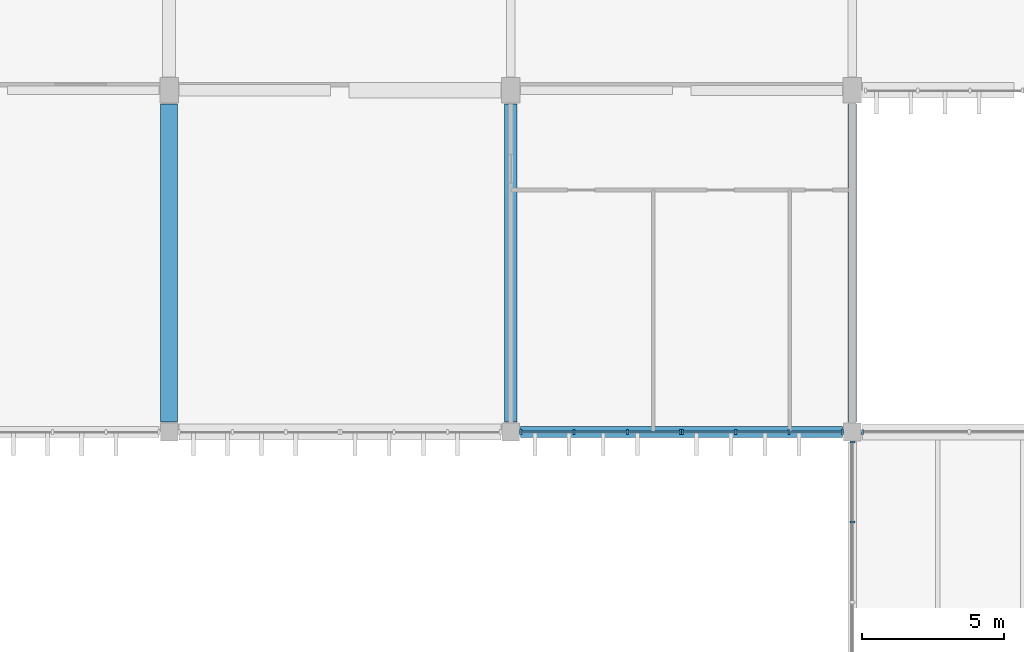
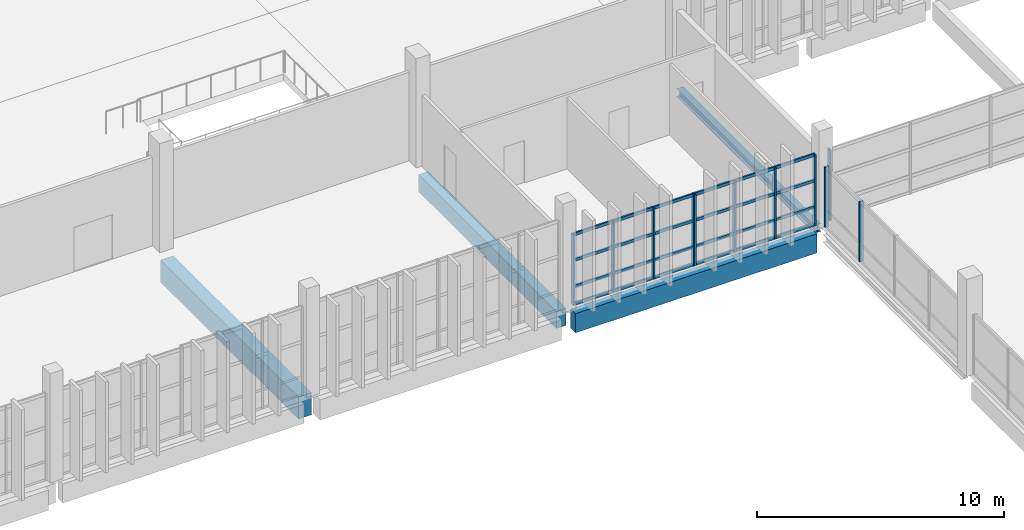
# One storey, part 43 of 112: 19 members, 4 beams, 4 elements without a shape of their own.
"""IFC4 building model written with IfcOpenShell, lengths in metres."""

from ifc_helpers import new_model, si_unit, direction, frame, origin, origin_2d, place, context, subcontext, project, spatial, rectangle, i_section, extrude, material, material_profile, profile_set, type_object, element, aggregate, save


model = new_model("IFC4")

# Units and contexts
model_context = context("Model", 3, precision=1e-05, world=origin(), true_north=direction((0.0, 1.0)))
body_context = subcontext(model_context, "Body", "Model", "MODEL_VIEW")
ifc_project = project(units=[si_unit("LENGTHUNIT", "METRE"), si_unit("AREAUNIT", "SQUARE_METRE"), si_unit("VOLUMEUNIT", "CUBIC_METRE"), si_unit("PLANEANGLEUNIT", "RADIAN"), si_unit("MASSUNIT", "GRAM", prefix="KILO")], contexts=[model_context])

# Site, building, storey
site_placement = place(None, origin())
site = spatial("IfcSite", under=ifc_project, at=site_placement, CompositionType="ELEMENT")
building_placement = place(site_placement, origin())
building = spatial("IfcBuilding", under=site, at=building_placement, Name="Kamomehara Wholesale Market", CompositionType="ELEMENT")
storey_placement = place(building_placement, frame((0.0, 0.0, 6.60009765625)))
storey = spatial("IfcBuildingStorey", under=building, at=storey_placement, Name="L01", CompositionType="ELEMENT", Elevation=6.60009765625)

# Beams
ifc_material_1 = material(Name="Precast concrete Fc45 (C40/50)", Category="concrete")
ifc_material_profile_1 = material_profile(ifc_material_1, rectangle(XDim=0.60009765625, YDim=1.10009765625, at=origin_2d()), Name="PC-GRD-600x1100")
ifc_profile_set_1 = profile_set([ifc_material_profile_1], Name="Precast concrete Fc45 (C40/50)")
beam_type_1 = type_object("IfcBeamType", Name="BM-PG1100", PredefinedType="T_BEAM", material=ifc_profile_set_1)
beam_1_placement = place(storey_placement, frame((132.0, 96.35009765625, -0.89208984375), z_axis=(0.0, 1.0, 0.0), x_axis=(-1.0, 0.0, 0.0)))
element("IfcBeam", 1, at=beam_1_placement, inside=storey, type_object=beam_type_1, Name="Beam PG-07 L01", PredefinedType="T_BEAM", context=body_context, shape_type="SweptSolid", body=[
    extrude(rectangle(XDim=0.60009765625, YDim=1.10009765625, at=origin_2d()), origin(), (0.0, 0.0, 1.0), 11.1748046875),
])
ifc_material_2 = material(Name="Precast concrete Fc45 (C40/50)", Category="concrete")
ifc_material_profile_2 = material_profile(ifc_material_2, rectangle(XDim=0.449951171875, YDim=0.85009765625, at=origin_2d()), Name="PC-GRD-450x850")
ifc_profile_set_2 = profile_set([ifc_material_profile_2], Name="Precast concrete Fc45 (C40/50)")
beam_type_2 = type_object("IfcBeamType", Name="BM-PG850", PredefinedType="T_BEAM", material=ifc_profile_set_2)
beam_2_placement = place(storey_placement, frame((144.0, 96.35009765625, -0.76708984375), z_axis=(0.0, 1.0, 0.0), x_axis=(-1.0, 0.0, 0.0)))
element("IfcBeam", 2, at=beam_2_placement, inside=storey, type_object=beam_type_2, Name="Beam PG-11 L01", PredefinedType="T_BEAM", context=body_context, shape_type="SweptSolid", body=[
    extrude(rectangle(XDim=0.449951171875, YDim=0.85009765625, at=origin_2d()), origin(), (0.0, 0.0, 1.0), 11.1748046875),
])
ifc_material_3 = material(Name="Precast concrete Fc45 (C40/50)", Category="concrete")
ifc_material_profile_3 = material_profile(ifc_material_3, rectangle(XDim=0.39990234375, YDim=0.949951171875, at=origin_2d()), Name="PC-SPN-400x950")
ifc_profile_set_3 = profile_set([ifc_material_profile_3], Name="Precast concrete Fc45 (C40/50)")
beam_type_3 = type_object("IfcBeamType", Name="BM-SPN950-EXT", PredefinedType="SPANDREL", material=ifc_profile_set_3)
beam_3_placement = place(storey_placement, frame((144.35009765625, 96.0, -0.797119140625), z_axis=(1.0, 0.0, 0.0), x_axis=(0.0, 1.0, 0.0)))
element("IfcBeam", 3, at=beam_3_placement, inside=storey, type_object=beam_type_3, Name="Beam SPN-01E L01", PredefinedType="SPANDREL", context=body_context, shape_type="SweptSolid", body=[
    extrude(rectangle(XDim=0.39990234375, YDim=0.949951171875, at=origin_2d()), origin(), (0.0, 0.0, 1.0), 11.2998046875),
])
ifc_material_4 = material(Name="Steel SN490B", Category="steel")
ifc_material_profile_4 = material_profile(ifc_material_4, i_section(OverallWidth=0.300048828125, OverallDepth=0.389892578125, WebThickness=0.010009765625, FlangeThickness=0.01611328125, FilletRadius=0.01806640625, at=origin_2d()), Name="H-390x300x10x16")
ifc_profile_set_4 = profile_set([ifc_material_profile_4], Name="Steel SN490B")
beam_type_4 = type_object("IfcBeamType", Name="BM-ST-H390-EXT", PredefinedType="SPANDREL", material=ifc_profile_set_4)
beam_4_placement = place(storey_placement, frame((156.0, 96.35009765625, -0.51708984375), z_axis=(0.0, 1.0, 0.0), x_axis=(-1.0, 0.0, 0.0)))
element("IfcBeam", 4, at=beam_4_placement, inside=storey, type_object=beam_type_4, Name="Beam SJ-03E L01", PredefinedType="SPANDREL", context=body_context, shape_type="SweptSolid", body=[
    extrude(i_section(OverallWidth=0.300048828125, OverallDepth=0.389892578125, WebThickness=0.010009765625, FlangeThickness=0.01611328125, FilletRadius=0.01806640625, at=origin_2d()), origin(), (0.0, 0.0, 1.0), 11.1748046875),
])

# Curtain wall, members
ifc_material_5 = material(Name="Anodised aluminium 6063-T5", Category="aluminium")
curtain_wall_type_1 = type_object("IfcCurtainWallType", Name="CW-UN-02", PredefinedType="NOTDEFINED", material=ifc_material_5)
curtain_wall_1_placement = place(storey_placement, origin())
curtain_wall_1 = element("IfcCurtainWall", 5, at=curtain_wall_1_placement, inside=storey, type_object=curtain_wall_type_1, Name="Unitised curtain wall CW-087", PredefinedType="NOTDEFINED")
ifc_material_6 = material(Name="Anodised aluminium 6063-T5", Category="aluminium")
ifc_material_profile_5 = material_profile(ifc_material_6, rectangle(XDim=0.074951171875, YDim=0.179931640625, at=origin_2d()), Name="ALU-MUL-75x180")
ifc_profile_set_5 = profile_set([ifc_material_profile_5], Name="Anodised aluminium 6063-T5")
member_type_1 = type_object("IfcMemberType", Name="CW-MUL-180", PredefinedType="MULLION", material=ifc_profile_set_5)
member_1_placement = place(storey_placement, frame((155.64990234375, 96.0, 0.0), z_axis=(0.0, 0.0, 1.0), x_axis=(-1.0, 0.0, 0.0)))
member_1 = element("IfcMember", 6, at=member_1_placement, type_object=member_type_1, Name="Mullion CW-087.0", PredefinedType="MULLION", context=body_context, shape_type="SweptSolid", body=[
    extrude(rectangle(XDim=0.074951171875, YDim=0.179931640625, at=origin_2d()), origin(), (0.0, 0.0, 1.0), 3.518798828125),
])
member_2_placement = place(storey_placement, frame((153.777099609375, 96.0, 0.0), z_axis=(0.0, 0.0, 1.0), x_axis=(-1.0, 0.0, 0.0)))
member_2 = element("IfcMember", 7, at=member_2_placement, type_object=member_type_1, Name="Mullion CW-087.1", PredefinedType="MULLION", context=body_context, shape_type="SweptSolid", body=[
    extrude(rectangle(XDim=0.074951171875, YDim=0.179931640625, at=origin_2d()), origin(), (0.0, 0.0, 1.0), 3.518798828125),
])
member_3_placement = place(storey_placement, frame((151.903076171875, 96.0, 0.0), z_axis=(0.0, 0.0, 1.0), x_axis=(-1.0, 0.0, 0.0)))
member_3 = element("IfcMember", 8, at=member_3_placement, type_object=member_type_1, Name="Mullion CW-087.2", PredefinedType="MULLION", context=body_context, shape_type="SweptSolid", body=[
    extrude(rectangle(XDim=0.074951171875, YDim=0.179931640625, at=origin_2d()), origin(), (0.0, 0.0, 1.0), 3.518798828125),
])
member_4_placement = place(storey_placement, frame((150.030029296875, 96.0, 0.0), z_axis=(0.0, 0.0, 1.0), x_axis=(-1.0, 0.0, 0.0)))
member_4 = element("IfcMember", 9, at=member_4_placement, type_object=member_type_1, Name="Mullion CW-087.3", PredefinedType="MULLION", context=body_context, shape_type="SweptSolid", body=[
    extrude(rectangle(XDim=0.074951171875, YDim=0.179931640625, at=origin_2d()), origin(), (0.0, 0.0, 1.0), 3.518798828125),
])

curtain_wall_2_placement = place(storey_placement, origin())
curtain_wall_2 = element("IfcCurtainWall", 10, at=curtain_wall_2_placement, inside=storey, type_object=curtain_wall_type_1, Name="Unitised curtain wall CW-088", PredefinedType="NOTDEFINED")
member_5_placement = place(storey_placement, frame((149.969970703125, 96.0, 0.0), z_axis=(0.0, 0.0, 1.0), x_axis=(-1.0, 0.0, 0.0)))
member_5 = element("IfcMember", 11, at=member_5_placement, type_object=member_type_1, Name="Mullion CW-088.0", PredefinedType="MULLION", context=body_context, shape_type="SweptSolid", body=[
    extrude(rectangle(XDim=0.074951171875, YDim=0.179931640625, at=origin_2d()), origin(), (0.0, 0.0, 1.0), 3.518798828125),
])
member_6_placement = place(storey_placement, frame((148.096923828125, 96.0, 0.0), z_axis=(0.0, 0.0, 1.0), x_axis=(-1.0, 0.0, 0.0)))
member_6 = element("IfcMember", 12, at=member_6_placement, type_object=member_type_1, Name="Mullion CW-088.1", PredefinedType="MULLION", context=body_context, shape_type="SweptSolid", body=[
    extrude(rectangle(XDim=0.074951171875, YDim=0.179931640625, at=origin_2d()), origin(), (0.0, 0.0, 1.0), 3.518798828125),
])
member_7_placement = place(storey_placement, frame((146.222900390625, 96.0, 0.0), z_axis=(0.0, 0.0, 1.0), x_axis=(-1.0, 0.0, 0.0)))
member_7 = element("IfcMember", 13, at=member_7_placement, type_object=member_type_1, Name="Mullion CW-088.2", PredefinedType="MULLION", context=body_context, shape_type="SweptSolid", body=[
    extrude(rectangle(XDim=0.074951171875, YDim=0.179931640625, at=origin_2d()), origin(), (0.0, 0.0, 1.0), 3.518798828125),
])
member_8_placement = place(storey_placement, frame((144.35009765625, 96.0, 0.0), z_axis=(0.0, 0.0, 1.0), x_axis=(-1.0, 0.0, 0.0)))
member_8 = element("IfcMember", 14, at=member_8_placement, type_object=member_type_1, Name="Mullion CW-088.3", PredefinedType="MULLION", context=body_context, shape_type="SweptSolid", body=[
    extrude(rectangle(XDim=0.074951171875, YDim=0.179931640625, at=origin_2d()), origin(), (0.0, 0.0, 1.0), 3.518798828125),
])

# Curtain wall, member
ifc_material_7 = material(Name="Anodised aluminium 6063-T5", Category="aluminium")
curtain_wall_type_2 = type_object("IfcCurtainWallType", Name="CW-UN-08", PredefinedType="NOTDEFINED", material=ifc_material_7)
curtain_wall_3_placement = place(storey_placement, origin())
curtain_wall_3 = element("IfcCurtainWall", 15, at=curtain_wall_3_placement, inside=storey, type_object=curtain_wall_type_2, Name="Unitised curtain wall CW-189", PredefinedType="NOTDEFINED")
member_9_placement = place(storey_placement, frame((156.35009765625, 96.0, 0.0), z_axis=(0.0, 0.0, 1.0), x_axis=(1.0, 0.0, 0.0)))
member_9 = element("IfcMember", 16, at=member_9_placement, type_object=member_type_1, Name="Mullion CW-189.0", PredefinedType="MULLION", context=body_context, shape_type="SweptSolid", body=[
    extrude(rectangle(XDim=0.074951171875, YDim=0.179931640625, at=origin_2d()), origin(), (0.0, 0.0, 1.0), 3.517822265625),
])
aggregate(curtain_wall_3, [member_9])

# Curtain wall, members
ifc_material_8 = material(Name="Anodised aluminium 6063-T5", Category="aluminium")
curtain_wall_type_3 = type_object("IfcCurtainWallType", Name="CW-UN-01", PredefinedType="NOTDEFINED", material=ifc_material_8)
curtain_wall_4_placement = place(storey_placement, origin())
curtain_wall_4 = element("IfcCurtainWall", 17, at=curtain_wall_4_placement, inside=storey, type_object=curtain_wall_type_3, Name="Unitised curtain wall CW-194", PredefinedType="NOTDEFINED")
member_10_placement = place(storey_placement, frame((156.0, 92.833984375, 0.0), z_axis=(0.0, 0.0, 1.0), x_axis=(0.0, 1.0, 0.0)))
member_10 = element("IfcMember", 18, at=member_10_placement, type_object=member_type_1, Name="Mullion CW-194.3", PredefinedType="MULLION", context=body_context, shape_type="SweptSolid", body=[
    extrude(rectangle(XDim=0.074951171875, YDim=0.179931640625, at=origin_2d()), origin(), (0.0, 0.0, 1.0), 2.968017578125),
])
member_11_placement = place(storey_placement, frame((156.0, 95.64990234375, 0.0), z_axis=(0.0, 0.0, 1.0), x_axis=(0.0, 1.0, 0.0)))
member_11 = element("IfcMember", 19, at=member_11_placement, type_object=member_type_1, Name="Mullion CW-194.4", PredefinedType="MULLION", context=body_context, shape_type="SweptSolid", body=[
    extrude(rectangle(XDim=0.074951171875, YDim=0.179931640625, at=origin_2d()), origin(), (0.0, 0.0, 1.0), 2.968017578125),
])
aggregate(curtain_wall_4, [member_10, member_11])

# Member
ifc_material_9 = material(Name="Anodised aluminium 6063-T5", Category="aluminium")
ifc_material_profile_6 = material_profile(ifc_material_9, rectangle(XDim=0.074951171875, YDim=0.14990234375, at=origin_2d()), Name="ALU-TRN-75x150")
ifc_profile_set_6 = profile_set([ifc_material_profile_6], Name="Anodised aluminium 6063-T5")
member_type_2 = type_object("IfcMemberType", Name="CW-TRN-150", PredefinedType="USERDEFINED", material=ifc_profile_set_6)
member_12_placement = place(storey_placement, frame((155.64990234375, 96.0, 0.039794921875), z_axis=(-1.0, 0.0, 0.0), x_axis=(0.0, -1.0, 0.0)))
member_12 = element("IfcMember", 20, at=member_12_placement, type_object=member_type_2, Name="Transom CW-087.0", ObjectType="TRANSOM", PredefinedType="USERDEFINED", context=body_context, shape_type="SweptSolid", body=[
    extrude(rectangle(XDim=0.074951171875, YDim=0.14990234375, at=origin_2d()), origin(), (0.0, 0.0, 1.0), 5.619873046875),
])

member_13_placement = place(storey_placement, frame((155.64990234375, 96.0, 0.89990234375), z_axis=(-1.0, 0.0, 0.0), x_axis=(0.0, -1.0, 0.0)))
member_13 = element("IfcMember", 21, at=member_13_placement, type_object=member_type_2, Name="Transom CW-087.1", ObjectType="TRANSOM", PredefinedType="USERDEFINED", context=body_context, shape_type="SweptSolid", body=[
    extrude(rectangle(XDim=0.074951171875, YDim=0.14990234375, at=origin_2d()), origin(), (0.0, 0.0, 1.0), 5.619873046875),
])

member_14_placement = place(storey_placement, frame((155.64990234375, 96.0, 2.208984375), z_axis=(-1.0, 0.0, 0.0), x_axis=(0.0, -1.0, 0.0)))
member_14 = element("IfcMember", 22, at=member_14_placement, type_object=member_type_2, Name="Transom CW-087.2", ObjectType="TRANSOM", PredefinedType="USERDEFINED", context=body_context, shape_type="SweptSolid", body=[
    extrude(rectangle(XDim=0.074951171875, YDim=0.14990234375, at=origin_2d()), origin(), (0.0, 0.0, 1.0), 5.619873046875),
])

member_15_placement = place(storey_placement, frame((155.64990234375, 96.0, 3.47900390625), z_axis=(-1.0, 0.0, 0.0), x_axis=(0.0, -1.0, 0.0)))
member_15 = element("IfcMember", 23, at=member_15_placement, type_object=member_type_2, Name="Transom CW-087.3", ObjectType="TRANSOM", PredefinedType="USERDEFINED", context=body_context, shape_type="SweptSolid", body=[
    extrude(rectangle(XDim=0.074951171875, YDim=0.14990234375, at=origin_2d()), origin(), (0.0, 0.0, 1.0), 5.619873046875),
])

aggregate(curtain_wall_1, [member_1, member_2, member_3, member_4, member_12, member_13, member_14, member_15])

member_16_placement = place(storey_placement, frame((149.969970703125, 96.0, 0.039794921875), z_axis=(-1.0, 0.0, 0.0), x_axis=(0.0, -1.0, 0.0)))
member_16 = element("IfcMember", 24, at=member_16_placement, type_object=member_type_2, Name="Transom CW-088.0", ObjectType="TRANSOM", PredefinedType="USERDEFINED", context=body_context, shape_type="SweptSolid", body=[
    extrude(rectangle(XDim=0.074951171875, YDim=0.14990234375, at=origin_2d()), origin(), (0.0, 0.0, 1.0), 5.619873046875),
])

member_17_placement = place(storey_placement, frame((149.969970703125, 96.0, 0.89990234375), z_axis=(-1.0, 0.0, 0.0), x_axis=(0.0, -1.0, 0.0)))
member_17 = element("IfcMember", 25, at=member_17_placement, type_object=member_type_2, Name="Transom CW-088.1", ObjectType="TRANSOM", PredefinedType="USERDEFINED", context=body_context, shape_type="SweptSolid", body=[
    extrude(rectangle(XDim=0.074951171875, YDim=0.14990234375, at=origin_2d()), origin(), (0.0, 0.0, 1.0), 5.619873046875),
])

member_18_placement = place(storey_placement, frame((149.969970703125, 96.0, 2.208984375), z_axis=(-1.0, 0.0, 0.0), x_axis=(0.0, -1.0, 0.0)))
member_18 = element("IfcMember", 26, at=member_18_placement, type_object=member_type_2, Name="Transom CW-088.2", ObjectType="TRANSOM", PredefinedType="USERDEFINED", context=body_context, shape_type="SweptSolid", body=[
    extrude(rectangle(XDim=0.074951171875, YDim=0.14990234375, at=origin_2d()), origin(), (0.0, 0.0, 1.0), 5.619873046875),
])

member_19_placement = place(storey_placement, frame((149.969970703125, 96.0, 3.47900390625), z_axis=(-1.0, 0.0, 0.0), x_axis=(0.0, -1.0, 0.0)))
member_19 = element("IfcMember", 27, at=member_19_placement, type_object=member_type_2, Name="Transom CW-088.3", ObjectType="TRANSOM", PredefinedType="USERDEFINED", context=body_context, shape_type="SweptSolid", body=[
    extrude(rectangle(XDim=0.074951171875, YDim=0.14990234375, at=origin_2d()), origin(), (0.0, 0.0, 1.0), 5.619873046875),
])

aggregate(curtain_wall_2, [member_5, member_6, member_7, member_8, member_16, member_17, member_18, member_19])

save(model, "model.ifc")
